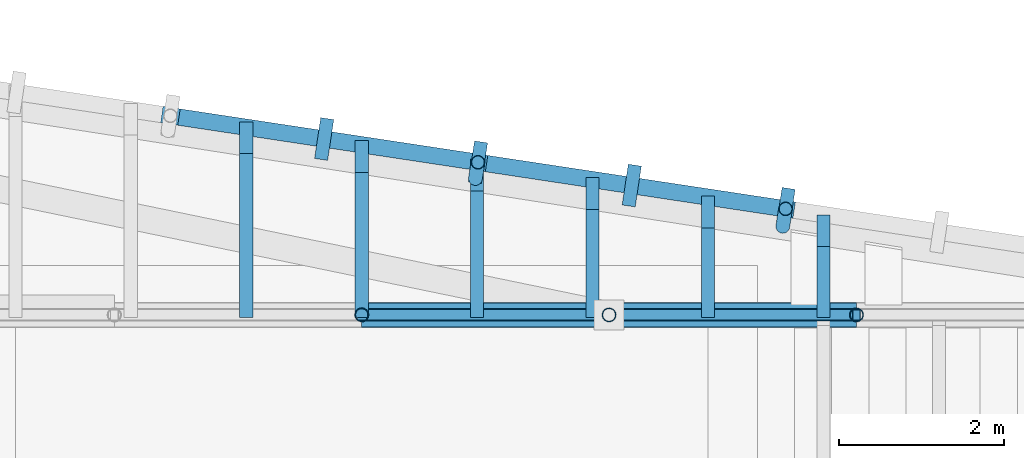
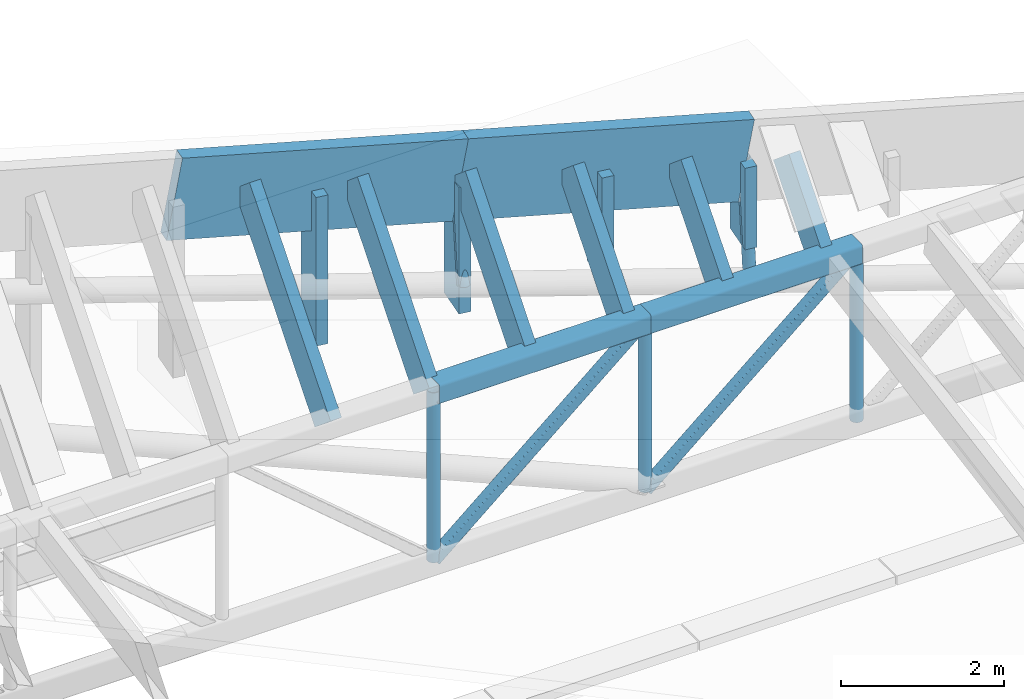
# One storey, part 44 of 91: 19 members, 2 beams.
"""IFC4 building model written with IfcOpenShell, lengths in metres."""

from ifc_helpers import new_model, si_unit, direction, frame, origin, origin_2d, place, context, subcontext, project, spatial, rectangle, hollow_rectangle, hollow_circle, extrude, material, material_profile, profile_set, type_object, element, save


model = new_model("IFC4")

# Units and contexts
model_context = context("Model", 3, precision=1e-05, world=origin(), true_north=direction((0.0, 1.0)))
body_context = subcontext(model_context, "Body", "Model", "MODEL_VIEW")
ifc_project = project(units=[si_unit("LENGTHUNIT", "METRE"), si_unit("AREAUNIT", "SQUARE_METRE"), si_unit("VOLUMEUNIT", "CUBIC_METRE"), si_unit("PLANEANGLEUNIT", "RADIAN"), si_unit("MASSUNIT", "GRAM", prefix="KILO")], contexts=[model_context])

# Site, building, storey
site_placement = place(None, origin())
site = spatial("IfcSite", under=ifc_project, at=site_placement, CompositionType="ELEMENT")
building_placement = place(site_placement, origin())
building = spatial("IfcBuilding", under=site, at=building_placement, Name="Almond Square Museum", CompositionType="ELEMENT")
storey_placement = place(building_placement, frame((0.0, 0.0, 30.0)))
storey = spatial("IfcBuildingStorey", under=building, at=storey_placement, Name="L05", CompositionType="ELEMENT", Elevation=30.0)

# Members
ifc_material_1 = material(Name="Structural steel S355", Category="steel")
ifc_material_profile_1 = material_profile(ifc_material_1, hollow_circle(Radius=0.084228515625, WallThickness=0.008056640625, at=origin_2d()))
ifc_profile_set_1 = profile_set([ifc_material_profile_1], Name="Structural steel S355")
member_type_1 = type_object("IfcMemberType", Name="Fascia post CHS 168.3x8", PredefinedType="POST", material=ifc_profile_set_1)
member_1_placement = place(storey_placement, frame((132.90673828125, 110.2734375, 15.73193359375), z_axis=(0.019194994917, 0.123073790936, 0.99221186959), x_axis=(-0.988055201569, 0.154100352538, 0.0)))
element("IfcMember", 1, at=member_1_placement, inside=storey, type_object=member_type_1, Name="Prow edge post 2", PredefinedType="POST", context=body_context, shape_type="SweptSolid", body=[
    extrude(hollow_circle(Radius=0.084228515625, WallThickness=0.008056640625, at=origin_2d()), origin(), (0.0, 0.0, 1.0), 1.729736328125),
])
member_2_placement = place(storey_placement, frame((129.179443359375, 110.85400390625, 16.61962890625), z_axis=(0.020155640299, 0.129802323528, 0.991335012481), x_axis=(-0.988157863519, 0.153440662037, 0.0)))
element("IfcMember", 2, at=member_2_placement, inside=storey, type_object=member_type_1, Name="Prow edge post 3", PredefinedType="POST", context=body_context, shape_type="SweptSolid", body=[
    extrude(hollow_circle(Radius=0.084228515625, WallThickness=0.008056640625, at=origin_2d()), origin(), (0.0, 0.0, 1.0), 1.51416015625),
])
ifc_material_2 = material(Name="Glulam GL28h", Category="wood")
ifc_material_profile_2 = material_profile(ifc_material_2, rectangle(XDim=0.159912109375, YDim=0.5, at=origin_2d()))
ifc_profile_set_2 = profile_set([ifc_material_profile_2], Name="Glulam GL28h")
member_type_2 = type_object("IfcMemberType", Name="Gable stud GL28h 160x500", PredefinedType="POST", material=ifc_profile_set_2)
member_3_placement = place(storey_placement, frame((132.93994140625, 110.486328125, 16.227294921875), z_axis=(0.0, 0.0, 1.0), x_axis=(-0.988752832318, 0.149558806438, 0.0)))
element("IfcMember", 3, at=member_3_placement, inside=storey, type_object=member_type_2, Name="Prow gable stud 4", PredefinedType="POST", context=body_context, shape_type="SweptSolid", body=[
    extrude(rectangle(XDim=0.159912109375, YDim=0.5, at=origin_2d()), origin(), (0.0, 0.0, 1.0), 1.220947265625),
])
member_4_placement = place(storey_placement, frame((131.074951171875, 110.7685546875, 16.227294921875), z_axis=(0.0, 0.0, 1.0), x_axis=(-0.988752832318, 0.149558806438, 0.0)))
element("IfcMember", 4, at=member_4_placement, inside=storey, type_object=member_type_2, Name="Prow gable stud 5", PredefinedType="POST", context=body_context, shape_type="SweptSolid", body=[
    extrude(rectangle(XDim=0.159912109375, YDim=0.5, at=origin_2d()), origin(), (0.0, 0.0, 1.0), 1.55712890625),
])
member_5_placement = place(storey_placement, frame((129.2099609375, 111.050537109375, 16.227294921875), z_axis=(0.0, 0.0, 1.0), x_axis=(-0.988752832318, 0.149558806438, 0.0)))
element("IfcMember", 5, at=member_5_placement, inside=storey, type_object=member_type_2, Name="Prow gable stud 6", PredefinedType="POST", context=body_context, shape_type="SweptSolid", body=[
    extrude(rectangle(XDim=0.159912109375, YDim=0.5, at=origin_2d()), origin(), (0.0, 0.0, 1.0), 1.893310546875),
])
member_6_placement = place(storey_placement, frame((127.344970703125, 111.332763671875, 16.227294921875), z_axis=(0.0, 0.0, 1.0), x_axis=(-0.988752832318, 0.149558806438, 0.0)))
element("IfcMember", 6, at=member_6_placement, inside=storey, type_object=member_type_2, Name="Prow gable stud 7", PredefinedType="POST", context=body_context, shape_type="SweptSolid", body=[
    extrude(rectangle(XDim=0.159912109375, YDim=0.5, at=origin_2d()), origin(), (0.0, 0.0, 1.0), 2.2294921875),
])
ifc_material_3 = material(Name="Glulam GL28h", Category="wood")
ifc_material_profile_3 = material_profile(ifc_material_3, rectangle(XDim=0.159912109375, YDim=0.5, at=origin_2d()))
ifc_profile_set_3 = profile_set([ifc_material_profile_3], Name="Glulam GL28h")
member_type_3 = type_object("IfcMemberType", Name="Glulam rafter GL28h 160x500", PredefinedType="RAFTER", material=ifc_profile_set_3)
member_7_placement = place(storey_placement, frame((126.39990234375, 109.35791015625, 16.433837890625), z_axis=(0.0, 0.642805081831, 0.766029781909), x_axis=(-1.0, 0.0, 0.0)))
element("IfcMember", 7, at=member_7_placement, inside=storey, type_object=member_type_3, Name="Prow rafter 15", PredefinedType="RAFTER", context=body_context, shape_type="SweptSolid", body=[
    extrude(rectangle(XDim=0.159912109375, YDim=0.5, at=origin_2d()), origin(), (0.0, 0.0, 1.0), 3.0927734375),
])
member_8_placement = place(storey_placement, frame((127.800048828125, 109.35791015625, 16.433837890625), z_axis=(0.0, 0.642789195939, 0.766043112092), x_axis=(-1.0, 0.0, 0.0)))
element("IfcMember", 8, at=member_8_placement, inside=storey, type_object=member_type_3, Name="Prow rafter 16", PredefinedType="RAFTER", context=body_context, shape_type="SweptSolid", body=[
    extrude(rectangle(XDim=0.159912109375, YDim=0.5, at=origin_2d()), origin(), (0.0, 0.0, 1.0), 2.743408203125),
])
member_9_placement = place(storey_placement, frame((129.199951171875, 109.35791015625, 16.433837890625), z_axis=(0.0, 0.642818889891, 0.766018194823), x_axis=(-1.0, 0.0, 0.0)))
element("IfcMember", 9, at=member_9_placement, inside=storey, type_object=member_type_3, Name="Prow rafter 17", PredefinedType="RAFTER", context=body_context, shape_type="SweptSolid", body=[
    extrude(rectangle(XDim=0.159912109375, YDim=0.5, at=origin_2d()), origin(), (0.0, 0.0, 1.0), 2.393798828125),
])
member_10_placement = place(storey_placement, frame((130.60009765625, 109.35791015625, 16.433837890625), z_axis=(0.0, 0.642799933307, 0.766034102204), x_axis=(-1.0, 0.0, 0.0)))
element("IfcMember", 10, at=member_10_placement, inside=storey, type_object=member_type_3, Name="Prow rafter 18", PredefinedType="RAFTER", context=body_context, shape_type="SweptSolid", body=[
    extrude(rectangle(XDim=0.159912109375, YDim=0.5, at=origin_2d()), origin(), (0.0, 0.0, 1.0), 2.04443359375),
])
member_11_placement = place(storey_placement, frame((132.0, 109.35791015625, 16.433837890625), z_axis=(0.0, 0.642773162562, 0.766056565464), x_axis=(-1.0, 0.0, 0.0)))
element("IfcMember", 11, at=member_11_placement, inside=storey, type_object=member_type_3, Name="Prow rafter 19", PredefinedType="RAFTER", context=body_context, shape_type="SweptSolid", body=[
    extrude(rectangle(XDim=0.159912109375, YDim=0.5, at=origin_2d()), origin(), (0.0, 0.0, 1.0), 1.695068359375),
])
member_12_placement = place(storey_placement, frame((133.39990234375, 109.35791015625, 16.433837890625), z_axis=(0.0, 0.642821823954, 0.766015732638), x_axis=(-1.0, 0.0, 0.0)))
element("IfcMember", 12, at=member_12_placement, inside=storey, type_object=member_type_3, Name="Prow rafter 20", PredefinedType="RAFTER", context=body_context, shape_type="SweptSolid", body=[
    extrude(rectangle(XDim=0.159912109375, YDim=0.5, at=origin_2d()), origin(), (0.0, 0.0, 1.0), 1.345703125),
])

# Beams
ifc_material_4 = material(Name="Glulam GL28h", Category="wood")
ifc_material_profile_4 = material_profile(ifc_material_4, rectangle(XDim=0.199951171875, YDim=1.199951171875, at=origin_2d()))
ifc_profile_set_4 = profile_set([ifc_material_profile_4], Name="Glulam GL28h")
beam_type = type_object("IfcBeamType", Name="Rake fascia beam GL28h 200x1200", PredefinedType="BEAM", material=ifc_profile_set_4)
for number, where, z_axis, x_axis, name in (
    (13, (132.93994140625, 110.486328125, 17.4482421875), (-0.973412266922, 0.147241507321, 0.175466512836), (-0.149561900376, -0.988752364324, 0.0), "Prow edge fascia 3"),
    (14, (129.2099609375, 111.050537109375, 18.12060546875), (-0.973401382812, 0.147239860956, 0.175528263493), (-0.149561900376, -0.988752364324, 0.0), "Prow edge fascia 4"),
):
    element("IfcBeam", number, at=place(storey_placement, frame(where, z_axis=z_axis, x_axis=x_axis)), inside=storey, type_object=beam_type, Name=name, PredefinedType="BEAM", context=body_context, shape_type="SweptSolid", body=[
        extrude(rectangle(XDim=0.199951171875, YDim=1.199951171875, at=origin_2d()), origin(), (0.0, 0.0, 1.0), 3.831787109375),
    ])

# Members
ifc_material_5 = material(Name="Structural steel S355", Category="steel")
ifc_material_profile_5 = material_profile(ifc_material_5, hollow_rectangle(XDim=0.300048828125, YDim=0.300048828125, WallThickness=0.012451171875, InnerFilletRadius=0.02490234375, OuterFilletRadius=0.03759765625, at=origin_2d()))
ifc_profile_set_5 = profile_set([ifc_material_profile_5], Name="Structural steel S355")
member_type_4 = type_object("IfcMemberType", Name="Truss chord SHS 300x300x12.5", PredefinedType="CHORD", material=ifc_profile_set_5)
for number, where, z_axis, x_axis, name in (
    (15, (127.800048828125, 109.199951171875, 16.53857421875), (1.0, 0.0, 0.0), (0.0, 1.0, 0.0), "TR-08 top chord 8"),
    (16, (130.800048828125, 109.199951171875, 16.53857421875), (1.0, 0.0, 0.0), (0.0, 1.0, 0.0), "TR-08 top chord 9"),
):
    element("IfcMember", number, at=place(storey_placement, frame(where, z_axis=z_axis, x_axis=x_axis)), inside=storey, type_object=member_type_4, Name=name, PredefinedType="CHORD", context=body_context, shape_type="SweptSolid", body=[
        extrude(hollow_rectangle(XDim=0.300048828125, YDim=0.300048828125, WallThickness=0.012451171875, InnerFilletRadius=0.02490234375, OuterFilletRadius=0.03759765625, at=origin_2d()), origin(), (0.0, 0.0, 1.0), 3.0),
    ])
ifc_material_6 = material(Name="Structural steel S355", Category="steel")
ifc_material_profile_6 = material_profile(ifc_material_6, hollow_rectangle(XDim=0.14990234375, YDim=0.14990234375, WallThickness=0.008056640625, InnerFilletRadius=0.011962890625, OuterFilletRadius=0.02001953125, at=origin_2d()))
ifc_profile_set_6 = profile_set([ifc_material_profile_6], Name="Structural steel S355")
member_type_5 = type_object("IfcMemberType", Name="Truss diagonal SHS 150x150x8", PredefinedType="BRACE", material=ifc_profile_set_6)
for number, where, z_axis, x_axis, name in (
    (17, (127.800048828125, 109.199951171875, 13.989990234375), (0.762116801264, 0.0, 0.647439557975), (0.0, 1.0, 0.0), "TR-08 diagonal 8"),
    (18, (130.800048828125, 109.199951171875, 13.989990234375), (0.762116801264, 0.0, 0.647439557975), (0.0, 1.0, 0.0), "TR-08 diagonal 9"),
):
    element("IfcMember", number, at=place(storey_placement, frame(where, z_axis=z_axis, x_axis=x_axis)), inside=storey, type_object=member_type_5, Name=name, PredefinedType="BRACE", context=body_context, shape_type="SweptSolid", body=[
        extrude(hollow_rectangle(XDim=0.14990234375, YDim=0.14990234375, WallThickness=0.008056640625, InnerFilletRadius=0.011962890625, OuterFilletRadius=0.02001953125, at=origin_2d()), origin(), (0.0, 0.0, 1.0), 3.9365234375),
    ])
ifc_material_7 = material(Name="Structural steel S355", Category="steel")
ifc_material_profile_7 = material_profile(ifc_material_7, hollow_circle(Radius=0.084228515625, WallThickness=0.008056640625, at=origin_2d()))
ifc_profile_set_7 = profile_set([ifc_material_profile_7], Name="Structural steel S355")
member_type_6 = type_object("IfcMemberType", Name="Truss post CHS 168.3x8", PredefinedType="POST", material=ifc_profile_set_7)
for number, where, z_axis, x_axis, name in (
    (19, (127.800048828125, 109.199951171875, 13.989990234375), (0.0, 0.0, 1.0), (1.0, 0.0, 0.0), "TR-08 post 8"),
    (20, (130.800048828125, 109.199951171875, 13.989990234375), (0.0, 0.0, 1.0), (1.0, 0.0, 0.0), "TR-08 post 9"),
    (21, (133.800048828125, 109.199951171875, 13.989990234375), (0.0, 0.0, 1.0), (1.0, 0.0, 0.0), "TR-08 post 10"),
):
    element("IfcMember", number, at=place(storey_placement, frame(where, z_axis=z_axis, x_axis=x_axis)), inside=storey, type_object=member_type_6, Name=name, PredefinedType="POST", context=body_context, shape_type="SweptSolid", body=[
        extrude(hollow_circle(Radius=0.084228515625, WallThickness=0.008056640625, at=origin_2d()), origin(), (0.0, 0.0, 1.0), 2.548583984375),
    ])

save(model, "model.ifc")
